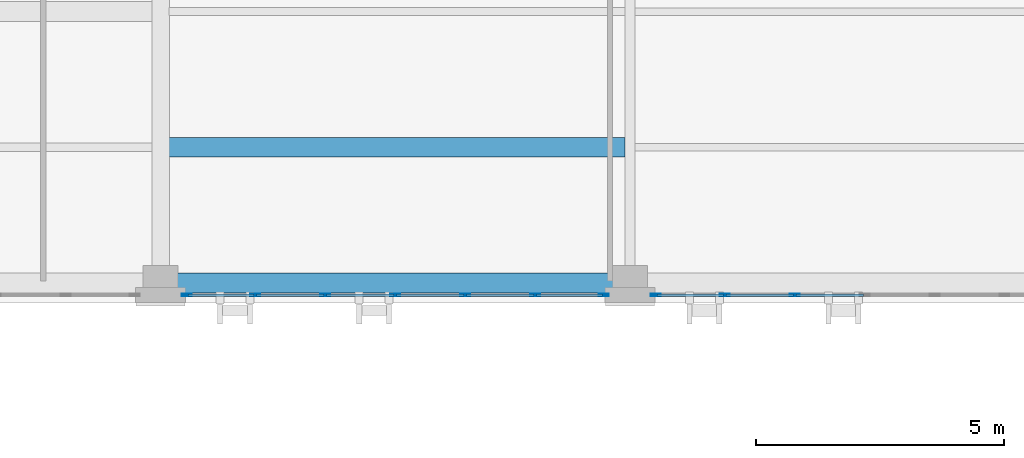
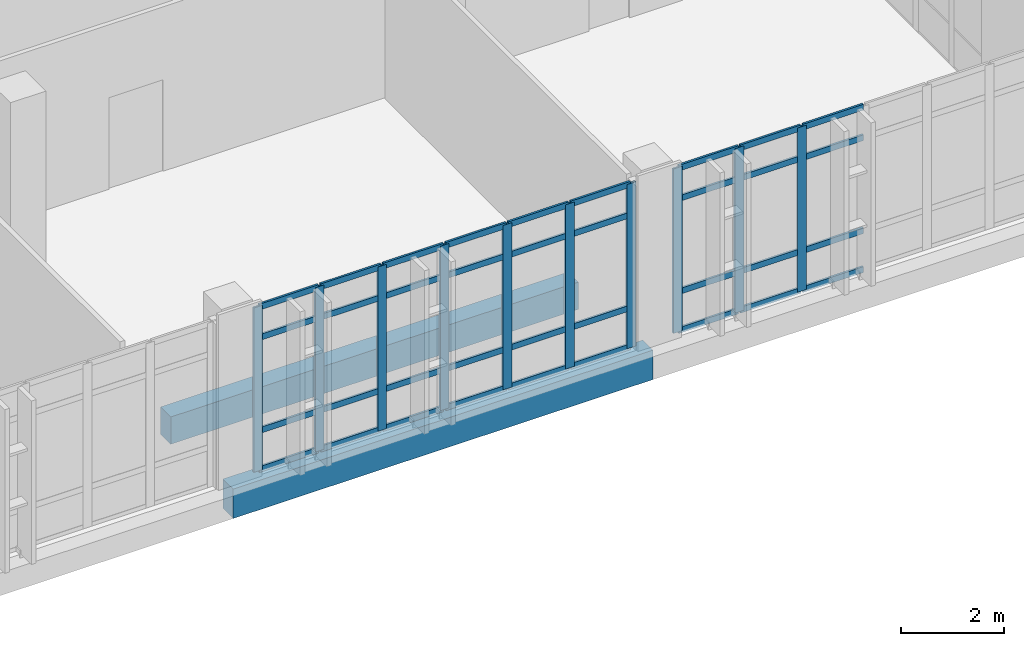
# One storey, part 36 of 193: 46 members, 2 beams, 2 elements without a shape of their own.
"""IFC4 building model written with IfcOpenShell, lengths in metres."""

from ifc_helpers import new_model, si_unit, direction, frame, origin, origin_2d, place, context, subcontext, project, spatial, rectangle, hollow_rectangle, extrude, material, layer, layer_set, material_profile, profile_set, type_object, element, aggregate, save


model = new_model("IFC4")

# Units and contexts
model_context = context("Model", 3, precision=1e-05, world=origin(), true_north=direction((0.0, 1.0)))
body_context = subcontext(model_context, "Body", "Model", "MODEL_VIEW")
ifc_project = project(units=[si_unit("LENGTHUNIT", "METRE"), si_unit("AREAUNIT", "SQUARE_METRE"), si_unit("VOLUMEUNIT", "CUBIC_METRE"), si_unit("PLANEANGLEUNIT", "RADIAN"), si_unit("MASSUNIT", "GRAM", prefix="KILO")], contexts=[model_context])

# Site, building, storey
site_placement = place(None, origin())
site = spatial("IfcSite", under=ifc_project, at=site_placement, CompositionType="ELEMENT")
building_placement = place(site_placement, origin())
building = spatial("IfcBuilding", under=site, at=building_placement, Name="Qalavern Law Courts", CompositionType="ELEMENT")
storey_placement = place(building_placement, frame((0.0, 0.0, 10.199951171875)))
storey = spatial("IfcBuildingStorey", under=building, at=storey_placement, Name="L02", CompositionType="ELEMENT", Elevation=10.199951171875)

# Curtain wall, members
ifc_material_1 = material(Name="Anodised aluminium and insulated glazing", Category="aluminium")
ifc_layer = layer(ifc_material_1, 0.18505859375)
ifc_layer_set = layer_set([ifc_layer], Name="Anodised aluminium and insulated glazing")
curtain_wall_type = type_object("IfcCurtainWallType", Name="ENV-CW-HALL", PredefinedType="USERDEFINED", material=ifc_layer_set)
curtain_wall_1_placement = place(storey_placement, origin())
curtain_wall_1 = element("IfcCurtainWall", 1, at=curtain_wall_1_placement, inside=storey, type_object=curtain_wall_type, Name="V2 unitised curtain wall L02 south 5", ObjectType="UNITISED CURTAIN WALL", PredefinedType="USERDEFINED")
ifc_material_2 = material(Name="Anodised aluminium", Category="aluminium")
ifc_material_profile_1 = material_profile(ifc_material_2, hollow_rectangle(XDim=0.048095703125, YDim=0.199951171875, WallThickness=0.00439453125, at=origin_2d()), Name="ALU MULLION 48x200")
ifc_profile_set_1 = profile_set([ifc_material_profile_1], Name="Anodised aluminium")
member_type_1 = type_object("IfcMemberType", Name="ENV-CWM-48x200", PredefinedType="MULLION", material=ifc_profile_set_1)
member_1_placement = place(storey_placement, frame((82.415283203125, 5.35498046875, 0.0), z_axis=(0.0, 0.0, 1.0), x_axis=(0.0, 1.0, 0.0)))
member_1 = element("IfcMember", 2, at=member_1_placement, type_object=member_type_1, Name="CW-02 mullion 1", PredefinedType="MULLION", context=body_context, shape_type="SweptSolid", body=[
    extrude(hollow_rectangle(XDim=0.048095703125, YDim=0.199951171875, WallThickness=0.00439453125, at=origin_2d()), origin(), (0.0, 0.0, 1.0), 3.9150390625),
])
member_2_placement = place(storey_placement, frame((83.800537109375, 5.35498046875, 0.0), z_axis=(0.0, 0.0, 1.0), x_axis=(0.0, 1.0, 0.0)))
member_2 = element("IfcMember", 3, at=member_2_placement, type_object=member_type_1, Name="CW-02 mullion 2", PredefinedType="MULLION", context=body_context, shape_type="SweptSolid", body=[
    extrude(hollow_rectangle(XDim=0.048095703125, YDim=0.199951171875, WallThickness=0.00439453125, at=origin_2d()), origin(), (0.0, 0.0, 1.0), 3.9150390625),
])
member_3_placement = place(storey_placement, frame((85.20947265625, 5.35498046875, 0.0), z_axis=(0.0, 0.0, 1.0), x_axis=(0.0, 1.0, 0.0)))
member_3 = element("IfcMember", 4, at=member_3_placement, type_object=member_type_1, Name="CW-02 mullion 3", PredefinedType="MULLION", context=body_context, shape_type="SweptSolid", body=[
    extrude(hollow_rectangle(XDim=0.048095703125, YDim=0.199951171875, WallThickness=0.00439453125, at=origin_2d()), origin(), (0.0, 0.0, 1.0), 3.9150390625),
])
member_4_placement = place(storey_placement, frame((86.61865234375, 5.35498046875, 0.0), z_axis=(0.0, 0.0, 1.0), x_axis=(0.0, 1.0, 0.0)))
member_4 = element("IfcMember", 5, at=member_4_placement, type_object=member_type_1, Name="CW-02 mullion 4", PredefinedType="MULLION", context=body_context, shape_type="SweptSolid", body=[
    extrude(hollow_rectangle(XDim=0.048095703125, YDim=0.199951171875, WallThickness=0.00439453125, at=origin_2d()), origin(), (0.0, 0.0, 1.0), 3.9150390625),
])
member_5_placement = place(storey_placement, frame((88.027587890625, 5.35498046875, 0.0), z_axis=(0.0, 0.0, 1.0), x_axis=(0.0, 1.0, 0.0)))
member_5 = element("IfcMember", 6, at=member_5_placement, type_object=member_type_1, Name="CW-02 mullion 5", PredefinedType="MULLION", context=body_context, shape_type="SweptSolid", body=[
    extrude(hollow_rectangle(XDim=0.048095703125, YDim=0.199951171875, WallThickness=0.00439453125, at=origin_2d()), origin(), (0.0, 0.0, 1.0), 3.9150390625),
])
member_6_placement = place(storey_placement, frame((89.436767578125, 5.35498046875, 0.0), z_axis=(0.0, 0.0, 1.0), x_axis=(0.0, 1.0, 0.0)))
member_6 = element("IfcMember", 7, at=member_6_placement, type_object=member_type_1, Name="CW-02 mullion 6", PredefinedType="MULLION", context=body_context, shape_type="SweptSolid", body=[
    extrude(hollow_rectangle(XDim=0.048095703125, YDim=0.199951171875, WallThickness=0.00439453125, at=origin_2d()), origin(), (0.0, 0.0, 1.0), 3.9150390625),
])
member_7_placement = place(storey_placement, frame((90.82177734375, 5.35498046875, 0.0), z_axis=(0.0, 0.0, 1.0), x_axis=(0.0, 1.0, 0.0)))
member_7 = element("IfcMember", 8, at=member_7_placement, type_object=member_type_1, Name="CW-02 mullion 7", PredefinedType="MULLION", context=body_context, shape_type="SweptSolid", body=[
    extrude(hollow_rectangle(XDim=0.048095703125, YDim=0.199951171875, WallThickness=0.00439453125, at=origin_2d()), origin(), (0.0, 0.0, 1.0), 3.9150390625),
])

curtain_wall_2_placement = place(storey_placement, origin())
curtain_wall_2 = element("IfcCurtainWall", 9, at=curtain_wall_2_placement, inside=storey, type_object=curtain_wall_type, Name="V2 unitised curtain wall L02 south 6", ObjectType="UNITISED CURTAIN WALL", PredefinedType="USERDEFINED")
member_8_placement = place(storey_placement, frame((91.86962890625, 5.35498046875, 0.0), z_axis=(0.0, 0.0, 1.0), x_axis=(0.0, 1.0, 0.0)))
member_8 = element("IfcMember", 10, at=member_8_placement, type_object=member_type_1, Name="CW-02 mullion 1", PredefinedType="MULLION", context=body_context, shape_type="SweptSolid", body=[
    extrude(hollow_rectangle(XDim=0.048095703125, YDim=0.199951171875, WallThickness=0.00439453125, at=origin_2d()), origin(), (0.0, 0.0, 1.0), 3.9150390625),
])
member_9_placement = place(storey_placement, frame((93.254638671875, 5.35498046875, 0.0), z_axis=(0.0, 0.0, 1.0), x_axis=(0.0, 1.0, 0.0)))
member_9 = element("IfcMember", 11, at=member_9_placement, type_object=member_type_1, Name="CW-02 mullion 2", PredefinedType="MULLION", context=body_context, shape_type="SweptSolid", body=[
    extrude(hollow_rectangle(XDim=0.048095703125, YDim=0.199951171875, WallThickness=0.00439453125, at=origin_2d()), origin(), (0.0, 0.0, 1.0), 3.9150390625),
])
member_10_placement = place(storey_placement, frame((94.663818359375, 5.35498046875, 0.0), z_axis=(0.0, 0.0, 1.0), x_axis=(0.0, 1.0, 0.0)))
member_10 = element("IfcMember", 12, at=member_10_placement, type_object=member_type_1, Name="CW-02 mullion 3", PredefinedType="MULLION", context=body_context, shape_type="SweptSolid", body=[
    extrude(hollow_rectangle(XDim=0.048095703125, YDim=0.199951171875, WallThickness=0.00439453125, at=origin_2d()), origin(), (0.0, 0.0, 1.0), 3.9150390625),
])

# Member
ifc_material_profile_2 = material_profile(ifc_material_2, hollow_rectangle(XDim=0.048095703125, YDim=0.139892578125, WallThickness=0.00390625, at=origin_2d()), Name="ALU TRANSOM 48x140")
ifc_profile_set_2 = profile_set([ifc_material_profile_2], Name="Anodised aluminium")
member_type_2 = type_object("IfcMemberType", Name="ENV-CWT-48x140", PredefinedType="USERDEFINED", material=ifc_profile_set_2)
member_11_placement = place(storey_placement, frame((82.439453125, 5.35498046875, 0.024169921875), z_axis=(1.0, 0.0, 0.0), x_axis=(0.0, 1.0, 0.0)))
member_11 = element("IfcMember", 13, at=member_11_placement, type_object=member_type_2, Name="CW-02 transom 1.1", ObjectType="TRANSOM", PredefinedType="USERDEFINED", context=body_context, shape_type="SweptSolid", body=[
    extrude(hollow_rectangle(XDim=0.048095703125, YDim=0.139892578125, WallThickness=0.00390625, at=origin_2d()), origin(), (0.0, 0.0, 1.0), 1.3369140625),
])

member_12_placement = place(storey_placement, frame((82.439453125, 5.35498046875, 0.949951171875), z_axis=(1.0, 0.0, 0.0), x_axis=(0.0, 1.0, 0.0)))
member_12 = element("IfcMember", 14, at=member_12_placement, type_object=member_type_2, Name="CW-02 transom 1.2", ObjectType="TRANSOM", PredefinedType="USERDEFINED", context=body_context, shape_type="SweptSolid", body=[
    extrude(hollow_rectangle(XDim=0.048095703125, YDim=0.139892578125, WallThickness=0.00390625, at=origin_2d()), origin(), (0.0, 0.0, 1.0), 1.3369140625),
])

member_13_placement = place(storey_placement, frame((82.439453125, 5.35498046875, 3.1650390625), z_axis=(1.0, 0.0, 0.0), x_axis=(0.0, 1.0, 0.0)))
member_13 = element("IfcMember", 15, at=member_13_placement, type_object=member_type_2, Name="CW-02 transom 1.3", ObjectType="TRANSOM", PredefinedType="USERDEFINED", context=body_context, shape_type="SweptSolid", body=[
    extrude(hollow_rectangle(XDim=0.048095703125, YDim=0.139892578125, WallThickness=0.00390625, at=origin_2d()), origin(), (0.0, 0.0, 1.0), 1.3369140625),
])

member_14_placement = place(storey_placement, frame((82.439453125, 5.35498046875, 3.89111328125), z_axis=(1.0, 0.0, 0.0), x_axis=(0.0, 1.0, 0.0)))
member_14 = element("IfcMember", 16, at=member_14_placement, type_object=member_type_2, Name="CW-02 transom 1.4", ObjectType="TRANSOM", PredefinedType="USERDEFINED", context=body_context, shape_type="SweptSolid", body=[
    extrude(hollow_rectangle(XDim=0.048095703125, YDim=0.139892578125, WallThickness=0.00390625, at=origin_2d()), origin(), (0.0, 0.0, 1.0), 1.3369140625),
])

member_15_placement = place(storey_placement, frame((83.824462890625, 5.35498046875, 0.024169921875), z_axis=(1.0, 0.0, 0.0), x_axis=(0.0, 1.0, 0.0)))
member_15 = element("IfcMember", 17, at=member_15_placement, type_object=member_type_2, Name="CW-02 transom 2.1", ObjectType="TRANSOM", PredefinedType="USERDEFINED", context=body_context, shape_type="SweptSolid", body=[
    extrude(hollow_rectangle(XDim=0.048095703125, YDim=0.139892578125, WallThickness=0.00390625, at=origin_2d()), origin(), (0.0, 0.0, 1.0), 1.361083984375),
])

member_16_placement = place(storey_placement, frame((83.824462890625, 5.35498046875, 0.949951171875), z_axis=(1.0, 0.0, 0.0), x_axis=(0.0, 1.0, 0.0)))
member_16 = element("IfcMember", 18, at=member_16_placement, type_object=member_type_2, Name="CW-02 transom 2.2", ObjectType="TRANSOM", PredefinedType="USERDEFINED", context=body_context, shape_type="SweptSolid", body=[
    extrude(hollow_rectangle(XDim=0.048095703125, YDim=0.139892578125, WallThickness=0.00390625, at=origin_2d()), origin(), (0.0, 0.0, 1.0), 1.361083984375),
])

member_17_placement = place(storey_placement, frame((83.824462890625, 5.35498046875, 3.1650390625), z_axis=(1.0, 0.0, 0.0), x_axis=(0.0, 1.0, 0.0)))
member_17 = element("IfcMember", 19, at=member_17_placement, type_object=member_type_2, Name="CW-02 transom 2.3", ObjectType="TRANSOM", PredefinedType="USERDEFINED", context=body_context, shape_type="SweptSolid", body=[
    extrude(hollow_rectangle(XDim=0.048095703125, YDim=0.139892578125, WallThickness=0.00390625, at=origin_2d()), origin(), (0.0, 0.0, 1.0), 1.361083984375),
])

member_18_placement = place(storey_placement, frame((83.824462890625, 5.35498046875, 3.89111328125), z_axis=(1.0, 0.0, 0.0), x_axis=(0.0, 1.0, 0.0)))
member_18 = element("IfcMember", 20, at=member_18_placement, type_object=member_type_2, Name="CW-02 transom 2.4", ObjectType="TRANSOM", PredefinedType="USERDEFINED", context=body_context, shape_type="SweptSolid", body=[
    extrude(hollow_rectangle(XDim=0.048095703125, YDim=0.139892578125, WallThickness=0.00390625, at=origin_2d()), origin(), (0.0, 0.0, 1.0), 1.361083984375),
])

member_19_placement = place(storey_placement, frame((85.2333984375, 5.35498046875, 0.024169921875), z_axis=(1.0, 0.0, 0.0), x_axis=(0.0, 1.0, 0.0)))
member_19 = element("IfcMember", 21, at=member_19_placement, type_object=member_type_2, Name="CW-02 transom 3.1", ObjectType="TRANSOM", PredefinedType="USERDEFINED", context=body_context, shape_type="SweptSolid", body=[
    extrude(hollow_rectangle(XDim=0.048095703125, YDim=0.139892578125, WallThickness=0.00390625, at=origin_2d()), origin(), (0.0, 0.0, 1.0), 1.361083984375),
])

member_20_placement = place(storey_placement, frame((85.2333984375, 5.35498046875, 0.949951171875), z_axis=(1.0, 0.0, 0.0), x_axis=(0.0, 1.0, 0.0)))
member_20 = element("IfcMember", 22, at=member_20_placement, type_object=member_type_2, Name="CW-02 transom 3.2", ObjectType="TRANSOM", PredefinedType="USERDEFINED", context=body_context, shape_type="SweptSolid", body=[
    extrude(hollow_rectangle(XDim=0.048095703125, YDim=0.139892578125, WallThickness=0.00390625, at=origin_2d()), origin(), (0.0, 0.0, 1.0), 1.361083984375),
])

member_21_placement = place(storey_placement, frame((85.2333984375, 5.35498046875, 3.1650390625), z_axis=(1.0, 0.0, 0.0), x_axis=(0.0, 1.0, 0.0)))
member_21 = element("IfcMember", 23, at=member_21_placement, type_object=member_type_2, Name="CW-02 transom 3.3", ObjectType="TRANSOM", PredefinedType="USERDEFINED", context=body_context, shape_type="SweptSolid", body=[
    extrude(hollow_rectangle(XDim=0.048095703125, YDim=0.139892578125, WallThickness=0.00390625, at=origin_2d()), origin(), (0.0, 0.0, 1.0), 1.361083984375),
])

member_22_placement = place(storey_placement, frame((85.2333984375, 5.35498046875, 3.89111328125), z_axis=(1.0, 0.0, 0.0), x_axis=(0.0, 1.0, 0.0)))
member_22 = element("IfcMember", 24, at=member_22_placement, type_object=member_type_2, Name="CW-02 transom 3.4", ObjectType="TRANSOM", PredefinedType="USERDEFINED", context=body_context, shape_type="SweptSolid", body=[
    extrude(hollow_rectangle(XDim=0.048095703125, YDim=0.139892578125, WallThickness=0.00390625, at=origin_2d()), origin(), (0.0, 0.0, 1.0), 1.361083984375),
])

member_23_placement = place(storey_placement, frame((86.642578125, 5.35498046875, 0.024169921875), z_axis=(1.0, 0.0, 0.0), x_axis=(0.0, 1.0, 0.0)))
member_23 = element("IfcMember", 25, at=member_23_placement, type_object=member_type_2, Name="CW-02 transom 4.1", ObjectType="TRANSOM", PredefinedType="USERDEFINED", context=body_context, shape_type="SweptSolid", body=[
    extrude(hollow_rectangle(XDim=0.048095703125, YDim=0.139892578125, WallThickness=0.00390625, at=origin_2d()), origin(), (0.0, 0.0, 1.0), 1.361083984375),
])

member_24_placement = place(storey_placement, frame((86.642578125, 5.35498046875, 0.949951171875), z_axis=(1.0, 0.0, 0.0), x_axis=(0.0, 1.0, 0.0)))
member_24 = element("IfcMember", 26, at=member_24_placement, type_object=member_type_2, Name="CW-02 transom 4.2", ObjectType="TRANSOM", PredefinedType="USERDEFINED", context=body_context, shape_type="SweptSolid", body=[
    extrude(hollow_rectangle(XDim=0.048095703125, YDim=0.139892578125, WallThickness=0.00390625, at=origin_2d()), origin(), (0.0, 0.0, 1.0), 1.361083984375),
])

member_25_placement = place(storey_placement, frame((86.642578125, 5.35498046875, 3.1650390625), z_axis=(1.0, 0.0, 0.0), x_axis=(0.0, 1.0, 0.0)))
member_25 = element("IfcMember", 27, at=member_25_placement, type_object=member_type_2, Name="CW-02 transom 4.3", ObjectType="TRANSOM", PredefinedType="USERDEFINED", context=body_context, shape_type="SweptSolid", body=[
    extrude(hollow_rectangle(XDim=0.048095703125, YDim=0.139892578125, WallThickness=0.00390625, at=origin_2d()), origin(), (0.0, 0.0, 1.0), 1.361083984375),
])

member_26_placement = place(storey_placement, frame((86.642578125, 5.35498046875, 3.89111328125), z_axis=(1.0, 0.0, 0.0), x_axis=(0.0, 1.0, 0.0)))
member_26 = element("IfcMember", 28, at=member_26_placement, type_object=member_type_2, Name="CW-02 transom 4.4", ObjectType="TRANSOM", PredefinedType="USERDEFINED", context=body_context, shape_type="SweptSolid", body=[
    extrude(hollow_rectangle(XDim=0.048095703125, YDim=0.139892578125, WallThickness=0.00390625, at=origin_2d()), origin(), (0.0, 0.0, 1.0), 1.361083984375),
])

member_27_placement = place(storey_placement, frame((88.051513671875, 5.35498046875, 0.024169921875), z_axis=(1.0, 0.0, 0.0), x_axis=(0.0, 1.0, 0.0)))
member_27 = element("IfcMember", 29, at=member_27_placement, type_object=member_type_2, Name="CW-02 transom 5.1", ObjectType="TRANSOM", PredefinedType="USERDEFINED", context=body_context, shape_type="SweptSolid", body=[
    extrude(hollow_rectangle(XDim=0.048095703125, YDim=0.139892578125, WallThickness=0.00390625, at=origin_2d()), origin(), (0.0, 0.0, 1.0), 1.361083984375),
])

member_28_placement = place(storey_placement, frame((88.051513671875, 5.35498046875, 0.949951171875), z_axis=(1.0, 0.0, 0.0), x_axis=(0.0, 1.0, 0.0)))
member_28 = element("IfcMember", 30, at=member_28_placement, type_object=member_type_2, Name="CW-02 transom 5.2", ObjectType="TRANSOM", PredefinedType="USERDEFINED", context=body_context, shape_type="SweptSolid", body=[
    extrude(hollow_rectangle(XDim=0.048095703125, YDim=0.139892578125, WallThickness=0.00390625, at=origin_2d()), origin(), (0.0, 0.0, 1.0), 1.361083984375),
])

member_29_placement = place(storey_placement, frame((88.051513671875, 5.35498046875, 3.1650390625), z_axis=(1.0, 0.0, 0.0), x_axis=(0.0, 1.0, 0.0)))
member_29 = element("IfcMember", 31, at=member_29_placement, type_object=member_type_2, Name="CW-02 transom 5.3", ObjectType="TRANSOM", PredefinedType="USERDEFINED", context=body_context, shape_type="SweptSolid", body=[
    extrude(hollow_rectangle(XDim=0.048095703125, YDim=0.139892578125, WallThickness=0.00390625, at=origin_2d()), origin(), (0.0, 0.0, 1.0), 1.361083984375),
])

member_30_placement = place(storey_placement, frame((88.051513671875, 5.35498046875, 3.89111328125), z_axis=(1.0, 0.0, 0.0), x_axis=(0.0, 1.0, 0.0)))
member_30 = element("IfcMember", 32, at=member_30_placement, type_object=member_type_2, Name="CW-02 transom 5.4", ObjectType="TRANSOM", PredefinedType="USERDEFINED", context=body_context, shape_type="SweptSolid", body=[
    extrude(hollow_rectangle(XDim=0.048095703125, YDim=0.139892578125, WallThickness=0.00390625, at=origin_2d()), origin(), (0.0, 0.0, 1.0), 1.361083984375),
])

member_31_placement = place(storey_placement, frame((89.460693359375, 5.35498046875, 0.024169921875), z_axis=(1.0, 0.0, 0.0), x_axis=(0.0, 1.0, 0.0)))
member_31 = element("IfcMember", 33, at=member_31_placement, type_object=member_type_2, Name="CW-02 transom 6.1", ObjectType="TRANSOM", PredefinedType="USERDEFINED", context=body_context, shape_type="SweptSolid", body=[
    extrude(hollow_rectangle(XDim=0.048095703125, YDim=0.139892578125, WallThickness=0.00390625, at=origin_2d()), origin(), (0.0, 0.0, 1.0), 1.3369140625),
])

member_32_placement = place(storey_placement, frame((89.460693359375, 5.35498046875, 0.949951171875), z_axis=(1.0, 0.0, 0.0), x_axis=(0.0, 1.0, 0.0)))
member_32 = element("IfcMember", 34, at=member_32_placement, type_object=member_type_2, Name="CW-02 transom 6.2", ObjectType="TRANSOM", PredefinedType="USERDEFINED", context=body_context, shape_type="SweptSolid", body=[
    extrude(hollow_rectangle(XDim=0.048095703125, YDim=0.139892578125, WallThickness=0.00390625, at=origin_2d()), origin(), (0.0, 0.0, 1.0), 1.3369140625),
])

member_33_placement = place(storey_placement, frame((89.460693359375, 5.35498046875, 3.1650390625), z_axis=(1.0, 0.0, 0.0), x_axis=(0.0, 1.0, 0.0)))
member_33 = element("IfcMember", 35, at=member_33_placement, type_object=member_type_2, Name="CW-02 transom 6.3", ObjectType="TRANSOM", PredefinedType="USERDEFINED", context=body_context, shape_type="SweptSolid", body=[
    extrude(hollow_rectangle(XDim=0.048095703125, YDim=0.139892578125, WallThickness=0.00390625, at=origin_2d()), origin(), (0.0, 0.0, 1.0), 1.3369140625),
])

member_34_placement = place(storey_placement, frame((89.460693359375, 5.35498046875, 3.89111328125), z_axis=(1.0, 0.0, 0.0), x_axis=(0.0, 1.0, 0.0)))
member_34 = element("IfcMember", 36, at=member_34_placement, type_object=member_type_2, Name="CW-02 transom 6.4", ObjectType="TRANSOM", PredefinedType="USERDEFINED", context=body_context, shape_type="SweptSolid", body=[
    extrude(hollow_rectangle(XDim=0.048095703125, YDim=0.139892578125, WallThickness=0.00390625, at=origin_2d()), origin(), (0.0, 0.0, 1.0), 1.3369140625),
])

aggregate(curtain_wall_1, [member_1, member_2, member_3, member_4, member_5, member_6, member_7, member_11, member_12, member_13, member_14, member_15, member_16, member_17, member_18, member_19, member_20, member_21, member_22, member_23, member_24, member_25, member_26, member_27, member_28, member_29, member_30, member_31, member_32, member_33, member_34])

member_35_placement = place(storey_placement, frame((91.893798828125, 5.35498046875, 0.024169921875), z_axis=(1.0, 0.0, 0.0), x_axis=(0.0, 1.0, 0.0)))
member_35 = element("IfcMember", 37, at=member_35_placement, type_object=member_type_2, Name="CW-02 transom 1.1", ObjectType="TRANSOM", PredefinedType="USERDEFINED", context=body_context, shape_type="SweptSolid", body=[
    extrude(hollow_rectangle(XDim=0.048095703125, YDim=0.139892578125, WallThickness=0.00390625, at=origin_2d()), origin(), (0.0, 0.0, 1.0), 1.3369140625),
])

member_36_placement = place(storey_placement, frame((91.893798828125, 5.35498046875, 0.949951171875), z_axis=(1.0, 0.0, 0.0), x_axis=(0.0, 1.0, 0.0)))
member_36 = element("IfcMember", 38, at=member_36_placement, type_object=member_type_2, Name="CW-02 transom 1.2", ObjectType="TRANSOM", PredefinedType="USERDEFINED", context=body_context, shape_type="SweptSolid", body=[
    extrude(hollow_rectangle(XDim=0.048095703125, YDim=0.139892578125, WallThickness=0.00390625, at=origin_2d()), origin(), (0.0, 0.0, 1.0), 1.3369140625),
])

member_37_placement = place(storey_placement, frame((91.893798828125, 5.35498046875, 3.1650390625), z_axis=(1.0, 0.0, 0.0), x_axis=(0.0, 1.0, 0.0)))
member_37 = element("IfcMember", 39, at=member_37_placement, type_object=member_type_2, Name="CW-02 transom 1.3", ObjectType="TRANSOM", PredefinedType="USERDEFINED", context=body_context, shape_type="SweptSolid", body=[
    extrude(hollow_rectangle(XDim=0.048095703125, YDim=0.139892578125, WallThickness=0.00390625, at=origin_2d()), origin(), (0.0, 0.0, 1.0), 1.3369140625),
])

member_38_placement = place(storey_placement, frame((91.893798828125, 5.35498046875, 3.89111328125), z_axis=(1.0, 0.0, 0.0), x_axis=(0.0, 1.0, 0.0)))
member_38 = element("IfcMember", 40, at=member_38_placement, type_object=member_type_2, Name="CW-02 transom 1.4", ObjectType="TRANSOM", PredefinedType="USERDEFINED", context=body_context, shape_type="SweptSolid", body=[
    extrude(hollow_rectangle(XDim=0.048095703125, YDim=0.139892578125, WallThickness=0.00390625, at=origin_2d()), origin(), (0.0, 0.0, 1.0), 1.3369140625),
])

member_39_placement = place(storey_placement, frame((93.27880859375, 5.35498046875, 0.024169921875), z_axis=(1.0, 0.0, 0.0), x_axis=(0.0, 1.0, 0.0)))
member_39 = element("IfcMember", 41, at=member_39_placement, type_object=member_type_2, Name="CW-02 transom 2.1", ObjectType="TRANSOM", PredefinedType="USERDEFINED", context=body_context, shape_type="SweptSolid", body=[
    extrude(hollow_rectangle(XDim=0.048095703125, YDim=0.139892578125, WallThickness=0.00390625, at=origin_2d()), origin(), (0.0, 0.0, 1.0), 1.361083984375),
])

member_40_placement = place(storey_placement, frame((93.27880859375, 5.35498046875, 0.949951171875), z_axis=(1.0, 0.0, 0.0), x_axis=(0.0, 1.0, 0.0)))
member_40 = element("IfcMember", 42, at=member_40_placement, type_object=member_type_2, Name="CW-02 transom 2.2", ObjectType="TRANSOM", PredefinedType="USERDEFINED", context=body_context, shape_type="SweptSolid", body=[
    extrude(hollow_rectangle(XDim=0.048095703125, YDim=0.139892578125, WallThickness=0.00390625, at=origin_2d()), origin(), (0.0, 0.0, 1.0), 1.361083984375),
])

member_41_placement = place(storey_placement, frame((93.27880859375, 5.35498046875, 3.1650390625), z_axis=(1.0, 0.0, 0.0), x_axis=(0.0, 1.0, 0.0)))
member_41 = element("IfcMember", 43, at=member_41_placement, type_object=member_type_2, Name="CW-02 transom 2.3", ObjectType="TRANSOM", PredefinedType="USERDEFINED", context=body_context, shape_type="SweptSolid", body=[
    extrude(hollow_rectangle(XDim=0.048095703125, YDim=0.139892578125, WallThickness=0.00390625, at=origin_2d()), origin(), (0.0, 0.0, 1.0), 1.361083984375),
])

member_42_placement = place(storey_placement, frame((93.27880859375, 5.35498046875, 3.89111328125), z_axis=(1.0, 0.0, 0.0), x_axis=(0.0, 1.0, 0.0)))
member_42 = element("IfcMember", 44, at=member_42_placement, type_object=member_type_2, Name="CW-02 transom 2.4", ObjectType="TRANSOM", PredefinedType="USERDEFINED", context=body_context, shape_type="SweptSolid", body=[
    extrude(hollow_rectangle(XDim=0.048095703125, YDim=0.139892578125, WallThickness=0.00390625, at=origin_2d()), origin(), (0.0, 0.0, 1.0), 1.361083984375),
])

member_43_placement = place(storey_placement, frame((94.687744140625, 5.35498046875, 0.024169921875), z_axis=(1.0, 0.0, 0.0), x_axis=(0.0, 1.0, 0.0)))
member_43 = element("IfcMember", 45, at=member_43_placement, type_object=member_type_2, Name="CW-02 transom 3.1", ObjectType="TRANSOM", PredefinedType="USERDEFINED", context=body_context, shape_type="SweptSolid", body=[
    extrude(hollow_rectangle(XDim=0.048095703125, YDim=0.139892578125, WallThickness=0.00390625, at=origin_2d()), origin(), (0.0, 0.0, 1.0), 1.361083984375),
])

member_44_placement = place(storey_placement, frame((94.687744140625, 5.35498046875, 0.949951171875), z_axis=(1.0, 0.0, 0.0), x_axis=(0.0, 1.0, 0.0)))
member_44 = element("IfcMember", 46, at=member_44_placement, type_object=member_type_2, Name="CW-02 transom 3.2", ObjectType="TRANSOM", PredefinedType="USERDEFINED", context=body_context, shape_type="SweptSolid", body=[
    extrude(hollow_rectangle(XDim=0.048095703125, YDim=0.139892578125, WallThickness=0.00390625, at=origin_2d()), origin(), (0.0, 0.0, 1.0), 1.361083984375),
])

member_45_placement = place(storey_placement, frame((94.687744140625, 5.35498046875, 3.1650390625), z_axis=(1.0, 0.0, 0.0), x_axis=(0.0, 1.0, 0.0)))
member_45 = element("IfcMember", 47, at=member_45_placement, type_object=member_type_2, Name="CW-02 transom 3.3", ObjectType="TRANSOM", PredefinedType="USERDEFINED", context=body_context, shape_type="SweptSolid", body=[
    extrude(hollow_rectangle(XDim=0.048095703125, YDim=0.139892578125, WallThickness=0.00390625, at=origin_2d()), origin(), (0.0, 0.0, 1.0), 1.361083984375),
])

member_46_placement = place(storey_placement, frame((94.687744140625, 5.35498046875, 3.89111328125), z_axis=(1.0, 0.0, 0.0), x_axis=(0.0, 1.0, 0.0)))
member_46 = element("IfcMember", 48, at=member_46_placement, type_object=member_type_2, Name="CW-02 transom 3.4", ObjectType="TRANSOM", PredefinedType="USERDEFINED", context=body_context, shape_type="SweptSolid", body=[
    extrude(hollow_rectangle(XDim=0.048095703125, YDim=0.139892578125, WallThickness=0.00390625, at=origin_2d()), origin(), (0.0, 0.0, 1.0), 1.361083984375),
])

aggregate(curtain_wall_2, [member_8, member_9, member_10, member_35, member_36, member_37, member_38, member_39, member_40, member_41, member_42, member_43, member_44, member_45, member_46])

# Beams
ifc_material_3 = material(Name="Concrete C35/45", Category="concrete")
ifc_material_profile_3 = material_profile(ifc_material_3, rectangle(XDim=0.39990234375, YDim=0.64990234375, at=origin_2d()), Name="RC 400x650")
ifc_profile_set_3 = profile_set([ifc_material_profile_3], Name="Concrete C35/45")
beam_type_1 = type_object("IfcBeamType", Name="STR-JST-RC400x650", PredefinedType="JOIST", material=ifc_profile_set_3)
beam_1_placement = place(storey_placement, frame((82.064453125, 8.333251953125, -0.614990234375), z_axis=(1.0, 0.0, 0.0), x_axis=(0.0, 1.0, 0.0)))
element("IfcBeam", 49, at=beam_1_placement, inside=storey, type_object=beam_type_1, Name="V2 secondary joist 6.1.1 L02", PredefinedType="JOIST", context=body_context, shape_type="SweptSolid", body=[
    extrude(rectangle(XDim=0.39990234375, YDim=0.64990234375, at=origin_2d()), origin(), (0.0, 0.0, 1.0), 9.183349609375),
])
ifc_material_4 = material(Name="Concrete C40/50", Category="concrete")
ifc_material_profile_4 = material_profile(ifc_material_4, rectangle(XDim=0.39990234375, YDim=0.699951171875, at=origin_2d()), Name="RC 400x700")
ifc_profile_set_4 = profile_set([ifc_material_profile_4], Name="Concrete C40/50")
beam_type_2 = type_object("IfcBeamType", Name="STR-SP-RC400x700", PredefinedType="SPANDREL", material=ifc_profile_set_4)
beam_2_placement = place(storey_placement, frame((81.891357421875, 5.60009765625, -0.639892578125), z_axis=(1.0, 0.0, 0.0), x_axis=(0.0, 1.0, 0.0)))
element("IfcBeam", 50, at=beam_2_placement, inside=storey, type_object=beam_type_2, Name="V2 X-beam 1-6 L02", PredefinedType="SPANDREL", context=body_context, shape_type="SweptSolid", body=[
    extrude(rectangle(XDim=0.39990234375, YDim=0.699951171875, at=origin_2d()), origin(), (0.0, 0.0, 1.0), 9.454345703125),
])

save(model, "model.ifc")
